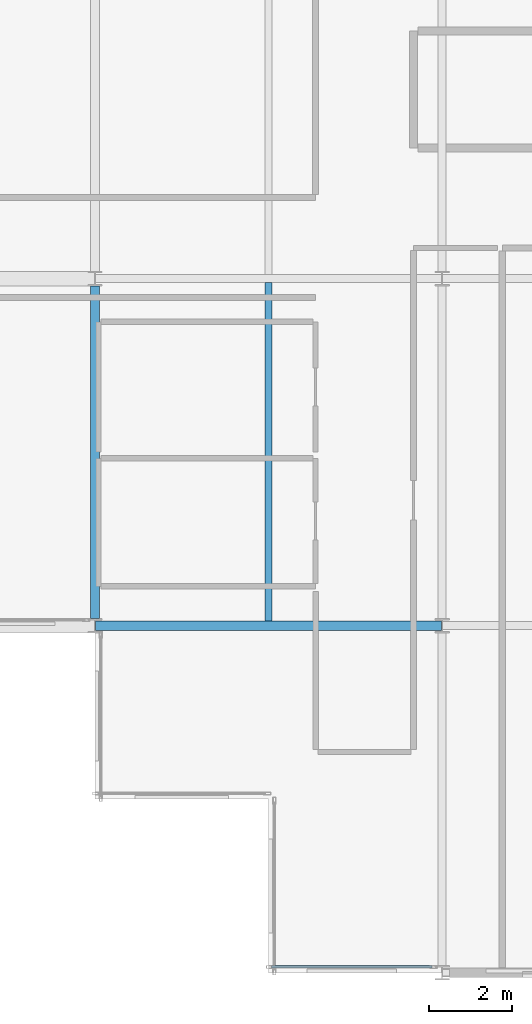
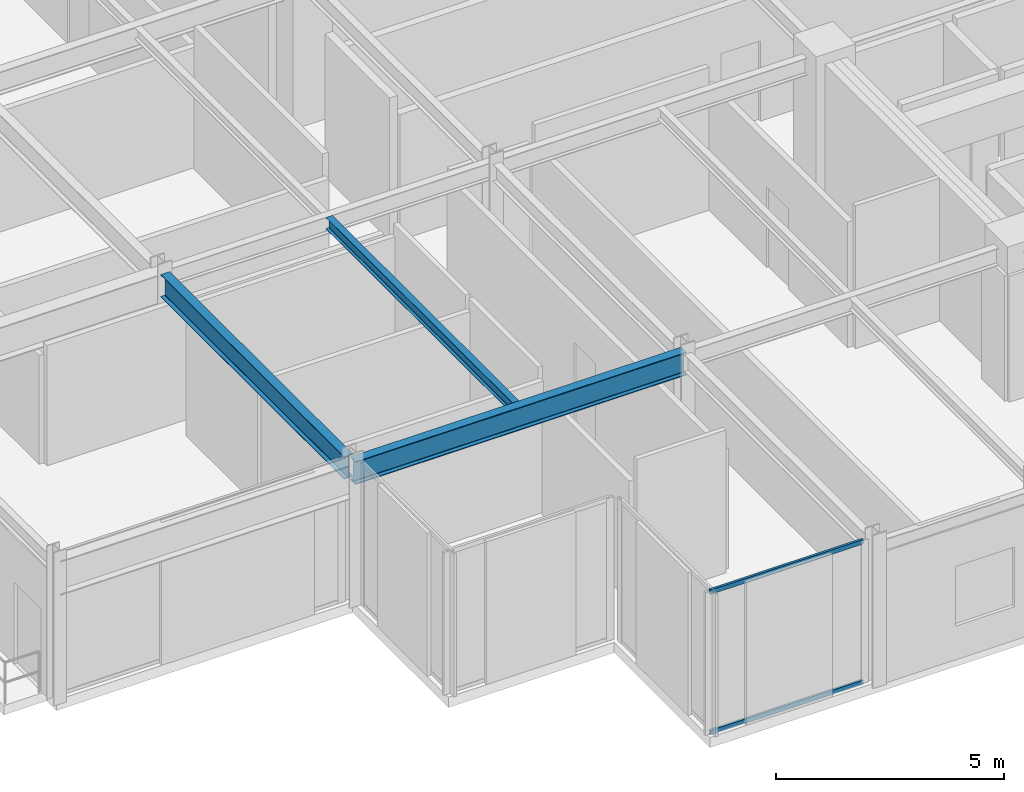
# One storey, part 5 of 29: 3 beams, 2 members, 1 element without a shape of its own.
"""IFC4 building model written with IfcOpenShell, lengths in metres."""

from ifc_helpers import new_model, si_unit, direction, frame, origin, origin_2d, place, context, subcontext, project, spatial, hollow_rectangle, i_section, extrude, material, layer, layer_set, material_profile, profile_set, type_object, element, aggregate, save


model = new_model("IFC4")

# Units and contexts
model_context = context("Model", 3, precision=1e-05, world=origin(), true_north=direction((0.0, 1.0)))
body_context = subcontext(model_context, "Body", "Model", "MODEL_VIEW")
ifc_project = project(units=[si_unit("LENGTHUNIT", "METRE"), si_unit("AREAUNIT", "SQUARE_METRE"), si_unit("VOLUMEUNIT", "CUBIC_METRE"), si_unit("PLANEANGLEUNIT", "RADIAN"), si_unit("MASSUNIT", "GRAM", prefix="KILO")], contexts=[model_context])

# Site, building, storey
site_placement = place(None, origin())
site = spatial("IfcSite", under=ifc_project, at=site_placement, CompositionType="ELEMENT")
building_placement = place(site_placement, origin())
building = spatial("IfcBuilding", under=site, at=building_placement, Name="Nerrivon Quay Data Exchange", CompositionType="ELEMENT")
storey_placement = place(building_placement, frame((0.0, 0.0, 187.800048828125)))
storey = spatial("IfcBuildingStorey", under=building, at=storey_placement, Name="L44", CompositionType="ELEMENT", Elevation=187.800048828125)

# Beams
ifc_material_1 = material(Name="Steel Grade 350", Category="steel")
ifc_material_profile_1 = material_profile(ifc_material_1, i_section(OverallWidth=0.22900390625, OverallDepth=0.612060546875, WebThickness=0.011962890625, FlangeThickness=0.01953125, FilletRadius=0.013916015625, at=origin_2d()), Name="610UB125")
ifc_profile_set_1 = profile_set([ifc_material_profile_1], Name="Steel Grade 350")
beam_type_1 = type_object("IfcBeamType", Name="BM-G1-610UB125", PredefinedType="BEAM", material=ifc_profile_set_1)
beam_1_placement = place(storey_placement, frame((0.010009765625, 8.39990234375, 3.51904296875), z_axis=(1.0, 0.0, 0.0), x_axis=(0.0, 1.0, 0.0)))
element("IfcBeam", 1, at=beam_1_placement, inside=storey, type_object=beam_type_1, Name="L44 EW Girder Y=8.4 (0.0..8.4)", PredefinedType="BEAM", context=body_context, shape_type="SweptSolid", body=[
    extrude(i_section(OverallWidth=0.22900390625, OverallDepth=0.612060546875, WebThickness=0.011962890625, FlangeThickness=0.01953125, FilletRadius=0.013916015625, at=origin_2d()), origin(), (0.0, 0.0, 1.0), 8.3798828125),
])
ifc_material_profile_2 = material_profile(ifc_material_1, i_section(OverallWidth=0.22802734375, OverallDepth=0.60205078125, WebThickness=0.010498046875, FlangeThickness=0.014892578125, FilletRadius=0.013916015625, at=origin_2d()), Name="610UB101")
ifc_profile_set_2 = profile_set([ifc_material_profile_2], Name="Steel Grade 350")
beam_type_2 = type_object("IfcBeamType", Name="BM-G2-610UB101", PredefinedType="BEAM", material=ifc_profile_set_2)
beam_2_placement = place(storey_placement, frame((0.0, 8.574951171875, 3.52392578125), z_axis=(0.0, 1.0, 0.0), x_axis=(-1.0, 0.0, 0.0)))
element("IfcBeam", 2, at=beam_2_placement, inside=storey, type_object=beam_type_2, Name="L44 NS Girder X=0.0 (8.4..16.8)", PredefinedType="BEAM", context=body_context, shape_type="SweptSolid", body=[
    extrude(i_section(OverallWidth=0.22802734375, OverallDepth=0.60205078125, WebThickness=0.010498046875, FlangeThickness=0.014892578125, FilletRadius=0.013916015625, at=origin_2d()), origin(), (0.0, 0.0, 1.0), 8.050048828125),
])
ifc_material_profile_3 = material_profile(ifc_material_1, i_section(OverallWidth=0.166015625, OverallDepth=0.306884765625, WebThickness=0.006591796875, FlangeThickness=0.01171875, FilletRadius=0.011474609375, at=origin_2d()), Name="310UB46.2")
ifc_profile_set_3 = profile_set([ifc_material_profile_3], Name="Steel Grade 350")
beam_type_3 = type_object("IfcBeamType", Name="BM-J5-310UB46", PredefinedType="JOIST", material=ifc_profile_set_3)
beam_3_placement = place(storey_placement, frame((4.199951171875, 8.514404296875, 3.67138671875), z_axis=(0.0, 1.0, 0.0), x_axis=(-1.0, 0.0, 0.0)))
element("IfcBeam", 3, at=beam_3_placement, inside=storey, type_object=beam_type_3, Name="L44 Secondary Joist X=4.2 (8.4..16.8)", PredefinedType="JOIST", context=body_context, shape_type="SweptSolid", body=[
    extrude(i_section(OverallWidth=0.166015625, OverallDepth=0.306884765625, WebThickness=0.006591796875, FlangeThickness=0.01171875, FilletRadius=0.011474609375, at=origin_2d()), origin(), (0.0, 0.0, 1.0), 8.190185546875),
])

# Curtain wall, members
ifc_material_2 = material(Name="Anodised aluminium 6063-T6", Category="aluminium")
ifc_layer = layer(ifc_material_2, 0.195068359375)
ifc_layer_set = layer_set([ifc_layer], Name="Anodised aluminium 6063-T6")
curtain_wall_type = type_object("IfcCurtainWallType", Name="CW-SYS-06", PredefinedType="NOTDEFINED", material=ifc_layer_set)
curtain_wall_placement = place(storey_placement, origin())
curtain_wall = element("IfcCurtainWall", 4, at=curtain_wall_placement, inside=storey, type_object=curtain_wall_type, Name="L44 Unitised Curtain Wall 28", PredefinedType="NOTDEFINED")
ifc_material_profile_4 = material_profile(ifc_material_2, hollow_rectangle(XDim=0.06005859375, YDim=0.1201171875, WallThickness=0.003173828125, at=origin_2d()), Name="ALU-TRAN-120x60")
ifc_profile_set_4 = profile_set([ifc_material_profile_4], Name="Anodised aluminium 6063-T6")
member_type = type_object("IfcMemberType", Name="CWT-120x60", PredefinedType="USERDEFINED", material=ifc_profile_set_4)
member_1_placement = place(storey_placement, frame((8.14990234375, 0.139892578125, 0.032470703125), z_axis=(-1.0, 0.0, 0.0), x_axis=(0.0, -1.0, 0.0)))
member_1 = element("IfcMember", 5, at=member_1_placement, type_object=member_type, Name="CW06 transom 1.1", ObjectType="TRANSOM", PredefinedType="USERDEFINED", context=body_context, shape_type="SweptSolid", body=[
    extrude(hollow_rectangle(XDim=0.06005859375, YDim=0.1201171875, WallThickness=0.003173828125, at=origin_2d()), origin(), (0.0, 0.0, 1.0), 3.875),
])
member_2_placement = place(storey_placement, frame((8.14990234375, 0.139892578125, 3.79248046875), z_axis=(-1.0, 0.0, 0.0), x_axis=(0.0, -1.0, 0.0)))
member_2 = element("IfcMember", 6, at=member_2_placement, type_object=member_type, Name="CW06 transom 1.2", ObjectType="TRANSOM", PredefinedType="USERDEFINED", context=body_context, shape_type="SweptSolid", body=[
    extrude(hollow_rectangle(XDim=0.06005859375, YDim=0.1201171875, WallThickness=0.003173828125, at=origin_2d()), origin(), (0.0, 0.0, 1.0), 3.875),
])
aggregate(curtain_wall, [member_1, member_2])

save(model, "model.ifc")
